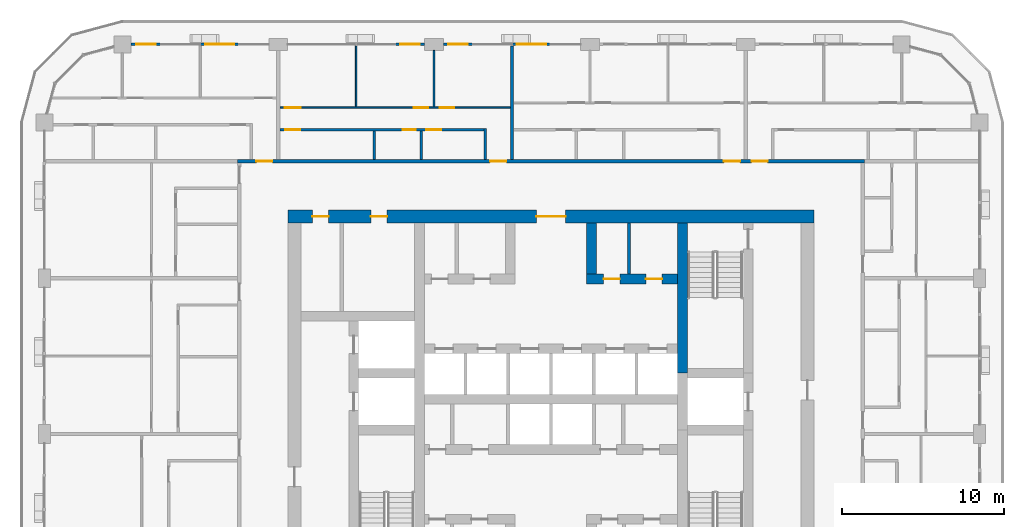
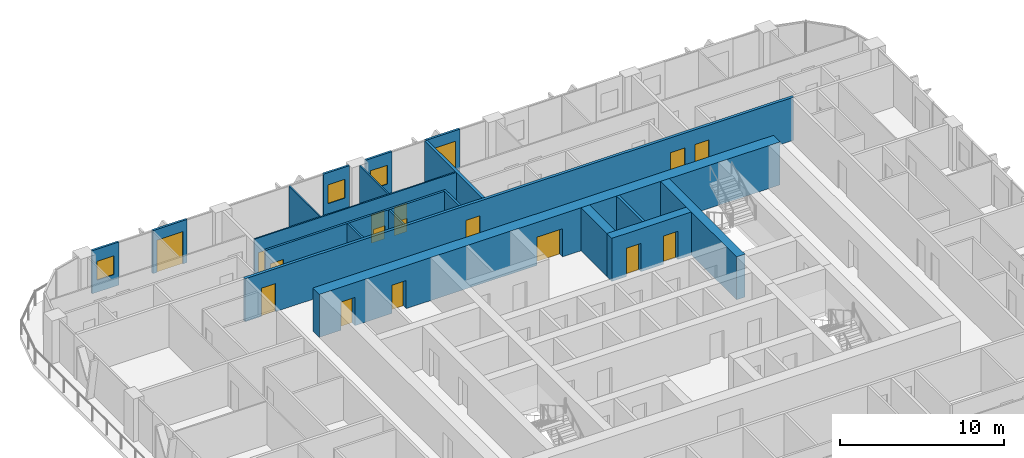
# One storey, part 14 of 22: 19 walls, 17 doors, 3 windows, 20 openings.
"""IFC4 building model written with IfcOpenShell, lengths in metres."""

from ifc_helpers import new_model, si_unit, direction, frame, frame_2d, origin, place, context, subcontext, project, spatial, rectangle, extrude, material, layer, layer_set, type_object, element, fill, save


model = new_model("IFC4")

# Units and contexts
model_context = context("Model", 3, precision=1e-05, world=origin(), true_north=direction((0.0, 1.0)))
body_context = subcontext(model_context, "Body", "Model", "MODEL_VIEW")
ifc_project = project(units=[si_unit("LENGTHUNIT", "METRE"), si_unit("AREAUNIT", "SQUARE_METRE"), si_unit("VOLUMEUNIT", "CUBIC_METRE"), si_unit("PLANEANGLEUNIT", "RADIAN"), si_unit("MASSUNIT", "GRAM", prefix="KILO")], contexts=[model_context])

# Site, building, storey
site_placement = place(None, origin())
site = spatial("IfcSite", under=ifc_project, at=site_placement, CompositionType="ELEMENT")
building_placement = place(site_placement, origin())
building = spatial("IfcBuilding", under=site, at=building_placement, Name="Madar Terraces", CompositionType="ELEMENT")
storey_placement = place(building_placement, frame((0.0, 0.0, 156.0)))
storey = spatial("IfcBuildingStorey", under=building, at=storey_placement, Name="L40", CompositionType="ELEMENT", Elevation=156.0)

# Wall
ifc_material_1 = material(Name="Concrete C70/85", Category="concrete")
ifc_layer_1 = layer(ifc_material_1, 0.60009765625)
ifc_layer_set_1 = layer_set([ifc_layer_1], Name="Concrete C70/85 (CIW3 RC wall 600)")
wall_type_1 = type_object("IfcWallType", Name="CIW3 RC wall 600", PredefinedType="SHEAR", material=ifc_layer_set_1)
wall_1_placement = place(storey_placement, frame((39.300048828125, 27.75, 0.0), z_axis=(0.0, 0.0, 1.0), x_axis=(0.0, 1.0, 0.0)))
element("IfcWall", 1, at=wall_1_placement, inside=storey, type_object=wall_type_1, Name="CORE SHAFT WALL", PredefinedType="SHEAR", context=body_context, shape_type="SweptSolid", body=[
    extrude(rectangle(XDim=9.25, YDim=0.60009765625, at=frame_2d((4.625, 0.0))), origin(), (0.0, 0.0, 1.0), 3.199951171875),
])

# Wall, openings, doors
wall_2_placement = place(storey_placement, frame((33.39990234375, 33.550048828125, 0.0), z_axis=(0.0, 0.0, 1.0), x_axis=(1.0, 0.0, 0.0)))
wall_2 = element("IfcWall", 2, at=wall_2_placement, inside=storey, type_object=wall_type_1, Name="CORE SHAFT WALL", PredefinedType="SHEAR", context=body_context, shape_type="SweptSolid", body=[
    extrude(rectangle(XDim=5.60009765625, YDim=0.60009765625, at=frame_2d((2.800048828125, 0.0))), origin(), (0.0, 0.0, 1.0), 3.199951171875),
])
opening_1_placement = place(wall_2_placement, frame((1.050048828125, 0.0, 0.0)))
opening_1 = element("IfcOpeningElement", 3, at=opening_1_placement, cuts=wall_2, Name="Opening KD2", PredefinedType="OPENING", context=body_context, shape_type="SweptSolid", body=[
    extrude(rectangle(XDim=1.0, YDim=2.10009765625, at=frame_2d((0.5, 1.050048828125))), frame((0.0, 0.31005859375, 0.0), z_axis=(0.0, -1.0, 0.0), x_axis=(1.0, 0.0, 0.0)), (0.0, 0.0, 1.0), 0.6201171875),
])
opening_2_placement = place(wall_2_placement, frame((3.64990234375, 0.0, 0.0)))
opening_2 = element("IfcOpeningElement", 4, at=opening_2_placement, cuts=wall_2, Name="Opening KD2", PredefinedType="OPENING", context=body_context, shape_type="SweptSolid", body=[
    extrude(rectangle(XDim=1.0, YDim=2.10009765625, at=frame_2d((0.5, 1.050048828125))), frame((0.0, 0.31005859375, 0.0), z_axis=(0.0, -1.0, 0.0), x_axis=(1.0, 0.0, 0.0)), (0.0, 0.0, 1.0), 0.6201171875),
])
ifc_material_2 = material(Name="Steel door leaf", Category="steel")
door_type_1 = type_object("IfcDoorType", Name="Service room door 1000 x 2100", OperationType="NOTDEFINED", PredefinedType="DOOR", material=ifc_material_2)
door_1_placement = place(opening_1_placement, frame((1.0, 0.0, 0.0), z_axis=(0.0, 0.0, 1.0), x_axis=(-1.0, 0.0, 0.0)))
door_1 = element("IfcDoor", 5, at=door_1_placement, inside=storey, type_object=door_type_1, Name="SERVICE ROOM DOOR", OperationType="SINGLE_SWING_LEFT", OverallHeight=2.10009765625, OverallWidth=1.0, PredefinedType="DOOR", context=body_context, shape_type="SweptSolid", body=[
    extrude(rectangle(XDim=1.0, YDim=2.10009765625, at=frame_2d((0.5, 1.050048828125))), frame((0.0, 0.02490234375, 0.0), z_axis=(0.0, -1.0, 0.0), x_axis=(1.0, 0.0, 0.0)), (0.0, 0.0, 1.0), 0.050048828125),
])
fill(opening_1, door_1)
door_2_placement = place(opening_2_placement, frame((1.0, 0.0, 0.0), z_axis=(0.0, 0.0, 1.0), x_axis=(-1.0, 0.0, 0.0)))
door_2 = element("IfcDoor", 6, at=door_2_placement, inside=storey, type_object=door_type_1, Name="SERVICE ROOM DOOR", OperationType="SINGLE_SWING_RIGHT", OverallHeight=2.10009765625, OverallWidth=1.0, PredefinedType="DOOR", context=body_context, shape_type="SweptSolid", body=[
    extrude(rectangle(XDim=1.0, YDim=2.10009765625, at=frame_2d((0.5, 1.050048828125))), frame((0.0, 0.02490234375, 0.0), z_axis=(0.0, -1.0, 0.0), x_axis=(1.0, 0.0, 0.0)), (0.0, 0.0, 1.0), 0.050048828125),
])
fill(opening_2, door_2)

# Wall
wall_3_placement = place(storey_placement, frame((33.699951171875, 33.85009765625, 0.0), z_axis=(0.0, 0.0, 1.0), x_axis=(0.0, 1.0, 0.0)))
element("IfcWall", 7, at=wall_3_placement, inside=storey, type_object=wall_type_1, Name="CORE SHAFT WALL", PredefinedType="SHEAR", context=body_context, shape_type="SweptSolid", body=[
    extrude(rectangle(XDim=3.14990234375, YDim=0.60009765625, at=frame_2d((1.574951171875, 0.0))), origin(), (0.0, 0.0, 1.0), 3.199951171875),
])

# Wall, openings, doors
ifc_material_3 = material(Name="Concrete C70/85", Category="concrete")
ifc_layer_2 = layer(ifc_material_3, 0.800048828125)
ifc_layer_set_2 = layer_set([ifc_layer_2], Name="Concrete C70/85 (CRW3 RC wall 800)")
wall_type_2 = type_object("IfcWallType", Name="CRW3 RC wall 800", PredefinedType="SHEAR", material=ifc_layer_set_2)
wall_4_placement = place(storey_placement, frame((15.0, 37.39990234375, 0.0), z_axis=(0.0, 0.0, 1.0), x_axis=(1.0, 0.0, 0.0)))
wall_4 = element("IfcWall", 8, at=wall_4_placement, inside=storey, type_object=wall_type_2, Name="CORE OUTER WALL", PredefinedType="SHEAR", context=body_context, shape_type="SweptSolid", body=[
    extrude(rectangle(XDim=32.39990234375, YDim=0.800048828125, at=frame_2d((16.199951171875, 0.0))), origin(), (0.0, 0.0, 1.0), 3.199951171875),
])
opening_3_placement = place(wall_4_placement, frame((15.300048828125, 0.0, 0.0)))
opening_3 = element("IfcOpeningElement", 9, at=opening_3_placement, cuts=wall_4, Name="Opening KD1", PredefinedType="OPENING", context=body_context, shape_type="SweptSolid", body=[
    extrude(rectangle(XDim=1.800048828125, YDim=2.10009765625, at=frame_2d((0.89990234375, 1.050048828125))), frame((0.0, 0.409912109375, 0.0), z_axis=(0.0, -1.0, 0.0), x_axis=(1.0, 0.0, 0.0)), (0.0, 0.0, 1.0), 0.820068359375),
])
opening_4_placement = place(wall_4_placement, frame((1.510009765625, 0.0, 0.0)))
opening_4 = element("IfcOpeningElement", 10, at=opening_4_placement, cuts=wall_4, Name="Opening KD2", PredefinedType="OPENING", context=body_context, shape_type="SweptSolid", body=[
    extrude(rectangle(XDim=1.0, YDim=2.10009765625, at=frame_2d((0.5, 1.050048828125))), frame((0.0, 0.409912109375, 0.0), z_axis=(0.0, -1.0, 0.0), x_axis=(1.0, 0.0, 0.0)), (0.0, 0.0, 1.0), 0.820068359375),
])
opening_5_placement = place(wall_4_placement, frame((5.110107421875, 0.0, 0.0)))
opening_5 = element("IfcOpeningElement", 11, at=opening_5_placement, cuts=wall_4, Name="Opening KD2", PredefinedType="OPENING", context=body_context, shape_type="SweptSolid", body=[
    extrude(rectangle(XDim=1.0, YDim=2.10009765625, at=frame_2d((0.5, 1.050048828125))), frame((0.0, 0.409912109375, 0.0), z_axis=(0.0, -1.0, 0.0), x_axis=(1.0, 0.0, 0.0)), (0.0, 0.0, 1.0), 0.820068359375),
])
ifc_material_4 = material(Name="Steel door leaf", Category="steel")
door_type_2 = type_object("IfcDoorType", Name="Lobby door pair 1800 x 2100", OperationType="DOUBLE_DOOR_SINGLE_SWING", PredefinedType="DOOR", material=ifc_material_4)
door_3_placement = place(opening_3_placement, origin())
door_3 = element("IfcDoor", 12, at=door_3_placement, inside=storey, type_object=door_type_2, Name="LIFT LOBBY DOOR", OperationType="DOUBLE_DOOR_SINGLE_SWING", OverallHeight=2.10009765625, OverallWidth=1.800048828125, PredefinedType="DOOR", context=body_context, shape_type="SweptSolid", body=[
    extrude(rectangle(XDim=1.800048828125, YDim=2.10009765625, at=frame_2d((0.89990234375, 1.050048828125))), frame((0.0, 0.02490234375, 0.0), z_axis=(0.0, -1.0, 0.0), x_axis=(1.0, 0.0, 0.0)), (0.0, 0.0, 1.0), 0.050048828125),
])
fill(opening_3, door_3)
door_4_placement = place(opening_4_placement, origin())
door_4 = element("IfcDoor", 13, at=door_4_placement, inside=storey, type_object=door_type_1, Name="SERVICE ROOM DOOR", OperationType="SINGLE_SWING_LEFT", OverallHeight=2.10009765625, OverallWidth=1.0, PredefinedType="DOOR", context=body_context, shape_type="SweptSolid", body=[
    extrude(rectangle(XDim=1.0, YDim=2.10009765625, at=frame_2d((0.5, 1.050048828125))), frame((0.0, 0.02490234375, 0.0), z_axis=(0.0, -1.0, 0.0), x_axis=(1.0, 0.0, 0.0)), (0.0, 0.0, 1.0), 0.050048828125),
])
fill(opening_4, door_4)
door_5_placement = place(opening_5_placement, origin())
door_5 = element("IfcDoor", 14, at=door_5_placement, inside=storey, type_object=door_type_1, Name="SERVICE ROOM DOOR", OperationType="SINGLE_SWING_RIGHT", OverallHeight=2.10009765625, OverallWidth=1.0, PredefinedType="DOOR", context=body_context, shape_type="SweptSolid", body=[
    extrude(rectangle(XDim=1.0, YDim=2.10009765625, at=frame_2d((0.5, 1.050048828125))), frame((0.0, 0.02490234375, 0.0), z_axis=(0.0, -1.0, 0.0), x_axis=(1.0, 0.0, 0.0)), (0.0, 0.0, 1.0), 0.050048828125),
])
fill(opening_5, door_5)

# Wall
ifc_material_5 = material(Name="Masonry blockwork", Category="masonry")
ifc_layer_3 = layer(ifc_material_5, 0.199951171875)
ifc_layer_set_3 = layer_set([ifc_layer_3], Name="Core partition 200 blockwork")
wall_type_3 = type_object("IfcWallType", Name="Core partition 200 blockwork", PredefinedType="PARTITIONING", material=ifc_layer_set_3)
wall_5_placement = place(storey_placement, frame((36.0, 33.85009765625, 0.0), z_axis=(0.0, 0.0, 1.0), x_axis=(0.0, 1.0, 0.0)))
element("IfcWall", 15, at=wall_5_placement, inside=storey, type_object=wall_type_3, Name="SERVICE ROOM PARTITION", PredefinedType="PARTITIONING", context=body_context, shape_type="SweptSolid", body=[
    extrude(rectangle(XDim=3.14990234375, YDim=0.199951171875, at=frame_2d((1.574951171875, 0.0))), origin(), (0.0, 0.0, 1.0), 3.199951171875),
])

# Wall, opening, door
ifc_material_6 = material(Name="Aluminium composite panel, black, over insulated backing", Category="aluminium")
ifc_layer_4 = layer(ifc_material_6, 0.14990234375)
ifc_layer_set_4 = layer_set([ifc_layer_4], Name="Facade bay panel 150")
wall_type_4 = type_object("IfcWallType", Name="Facade bay panel 150", PredefinedType="SOLIDWALL", material=ifc_layer_set_4)
wall_6_placement = place(storey_placement, frame((31.199951171875, 48.0, 0.0), z_axis=(0.0, 0.0, 1.0), x_axis=(-1.0, 0.0, 0.0)))
wall_6 = element("IfcWall", 16, at=wall_6_placement, inside=storey, type_object=wall_type_4, Name="Facade bay panel", PredefinedType="SOLIDWALL", context=body_context, shape_type="SweptSolid", body=[
    extrude(rectangle(XDim=2.39990234375, YDim=0.14990234375, at=frame_2d((1.199951171875, 0.0))), origin(), (0.0, 0.0, 1.0), 3.199951171875),
])
opening_6_placement = place(wall_6_placement, frame((0.300048828125, 0.0, 0.0)))
opening_6 = element("IfcOpeningElement", 17, at=opening_6_placement, cuts=wall_6, Name="Opening ED1", PredefinedType="OPENING", context=body_context, shape_type="SweptSolid", body=[
    extrude(rectangle(XDim=1.800048828125, YDim=2.39990234375, at=frame_2d((0.89990234375, 1.199951171875))), frame((0.0, 0.0849609375, 0.0), z_axis=(0.0, -1.0, 0.0), x_axis=(1.0, 0.0, 0.0)), (0.0, 0.0, 1.0), 0.169921875),
])
ifc_material_7 = material(Name="Glass, clear, with black aluminium frame", Category="aluminium")
door_type_3 = type_object("IfcDoorType", Name="Balcony and terrace sliding door 1800 x 2400", OperationType="SLIDING_TO_LEFT", PredefinedType="DOOR", material=ifc_material_7)
door_6_placement = place(opening_6_placement, origin())
door_6 = element("IfcDoor", 18, at=door_6_placement, inside=storey, type_object=door_type_3, Name="Balcony door", OperationType="SLIDING_TO_LEFT", OverallHeight=2.39990234375, OverallWidth=1.800048828125, PredefinedType="DOOR", context=body_context, shape_type="SweptSolid", body=[
    extrude(rectangle(XDim=1.800048828125, YDim=2.39990234375, at=frame_2d((0.89990234375, 1.199951171875))), frame((0.0, 0.02490234375, 0.0), z_axis=(0.0, -1.0, 0.0), x_axis=(1.0, 0.0, 0.0)), (0.0, 0.0, 1.0), 0.050048828125),
])
fill(opening_6, door_6)

# Wall, opening, window
wall_7_placement = place(storey_placement, frame((26.39990234375, 48.0, 0.0), z_axis=(0.0, 0.0, 1.0), x_axis=(-1.0, 0.0, 0.0)))
wall_7 = element("IfcWall", 19, at=wall_7_placement, inside=storey, type_object=wall_type_4, Name="Facade bay panel", PredefinedType="SOLIDWALL", context=body_context, shape_type="SweptSolid", body=[
    extrude(rectangle(XDim=1.824951171875, YDim=0.14990234375, at=frame_2d((0.91259765625, 0.0))), origin(), (0.0, 0.0, 1.0), 3.199951171875),
])
opening_7_placement = place(wall_7_placement, frame((0.3125, 0.0, 0.89990234375)))
opening_7 = element("IfcOpeningElement", 20, at=opening_7_placement, cuts=wall_7, Name="Opening W1", PredefinedType="OPENING", context=body_context, shape_type="SweptSolid", body=[
    extrude(rectangle(XDim=1.199951171875, YDim=1.39990234375, at=frame_2d((0.60009765625, 0.699951171875))), frame((0.0, 0.0849609375, 0.0), z_axis=(0.0, -1.0, 0.0), x_axis=(1.0, 0.0, 0.0)), (0.0, 0.0, 1.0), 0.169921875),
])
ifc_material_8 = material(Name="Glass, clear, with black aluminium frame", Category="aluminium")
window_type = type_object("IfcWindowType", Name="Vent window 1200 x 1400", PartitioningType="SINGLE_PANEL", PredefinedType="WINDOW", material=ifc_material_8)
window_1_placement = place(opening_7_placement, origin())
window_1 = element("IfcWindow", 21, at=window_1_placement, inside=storey, type_object=window_type, Name="Operable vent window", OverallHeight=1.39990234375, OverallWidth=1.199951171875, PartitioningType="SINGLE_PANEL", PredefinedType="WINDOW", context=body_context, shape_type="SweptSolid", body=[
    extrude(rectangle(XDim=1.199951171875, YDim=1.39990234375, at=frame_2d((0.60009765625, 0.699951171875))), frame((0.0, 0.030029296875, 0.0), z_axis=(0.0, -1.0, 0.0), x_axis=(1.0, 0.0, 0.0)), (0.0, 0.0, 1.0), 0.06005859375),
])
fill(opening_7, window_1)

wall_8_placement = place(storey_placement, frame((23.425048828125, 48.0, 0.0), z_axis=(0.0, 0.0, 1.0), x_axis=(-1.0, 0.0, 0.0)))
wall_8 = element("IfcWall", 22, at=wall_8_placement, inside=storey, type_object=wall_type_4, Name="Facade bay panel", PredefinedType="SOLIDWALL", context=body_context, shape_type="SweptSolid", body=[
    extrude(rectangle(XDim=1.824951171875, YDim=0.14990234375, at=frame_2d((0.91259765625, 0.0))), origin(), (0.0, 0.0, 1.0), 3.199951171875),
])
opening_8_placement = place(wall_8_placement, frame((0.3125, 0.0, 0.89990234375)))
opening_8 = element("IfcOpeningElement", 23, at=opening_8_placement, cuts=wall_8, Name="Opening W1", PredefinedType="OPENING", context=body_context, shape_type="SweptSolid", body=[
    extrude(rectangle(XDim=1.199951171875, YDim=1.39990234375, at=frame_2d((0.60009765625, 0.699951171875))), frame((0.0, 0.0849609375, 0.0), z_axis=(0.0, -1.0, 0.0), x_axis=(1.0, 0.0, 0.0)), (0.0, 0.0, 1.0), 0.169921875),
])
window_2_placement = place(opening_8_placement, origin())
window_2 = element("IfcWindow", 24, at=window_2_placement, inside=storey, type_object=window_type, Name="Operable vent window", OverallHeight=1.39990234375, OverallWidth=1.199951171875, PartitioningType="SINGLE_PANEL", PredefinedType="WINDOW", context=body_context, shape_type="SweptSolid", body=[
    extrude(rectangle(XDim=1.199951171875, YDim=1.39990234375, at=frame_2d((0.60009765625, 0.699951171875))), frame((0.0, 0.030029296875, 0.0), z_axis=(0.0, -1.0, 0.0), x_axis=(1.0, 0.0, 0.0)), (0.0, 0.0, 1.0), 0.06005859375),
])
fill(opening_8, window_2)

# Wall, opening, door
wall_9_placement = place(storey_placement, frame((12.0, 48.0, 0.0), z_axis=(0.0, 0.0, 1.0), x_axis=(-1.0, 0.0, 0.0)))
wall_9 = element("IfcWall", 25, at=wall_9_placement, inside=storey, type_object=wall_type_4, Name="Facade bay panel", PredefinedType="SOLIDWALL", context=body_context, shape_type="SweptSolid", body=[
    extrude(rectangle(XDim=2.39990234375, YDim=0.14990234375, at=frame_2d((1.199951171875, 0.0))), origin(), (0.0, 0.0, 1.0), 3.199951171875),
])
opening_9_placement = place(wall_9_placement, frame((0.300048828125, 0.0, 0.0)))
opening_9 = element("IfcOpeningElement", 26, at=opening_9_placement, cuts=wall_9, Name="Opening ED1", PredefinedType="OPENING", context=body_context, shape_type="SweptSolid", body=[
    extrude(rectangle(XDim=1.800048828125, YDim=2.39990234375, at=frame_2d((0.89990234375, 1.199951171875))), frame((0.0, 0.0849609375, 0.0), z_axis=(0.0, -1.0, 0.0), x_axis=(1.0, 0.0, 0.0)), (0.0, 0.0, 1.0), 0.169921875),
])
door_7_placement = place(opening_9_placement, origin())
door_7 = element("IfcDoor", 27, at=door_7_placement, inside=storey, type_object=door_type_3, Name="Balcony door", OperationType="SLIDING_TO_RIGHT", OverallHeight=2.39990234375, OverallWidth=1.800048828125, PredefinedType="DOOR", context=body_context, shape_type="SweptSolid", body=[
    extrude(rectangle(XDim=1.800048828125, YDim=2.39990234375, at=frame_2d((0.89990234375, 1.199951171875))), frame((0.0, 0.02490234375, 0.0), z_axis=(0.0, -1.0, 0.0), x_axis=(1.0, 0.0, 0.0)), (0.0, 0.0, 1.0), 0.050048828125),
])
fill(opening_9, door_7)

# Wall, opening, window
wall_10_placement = place(storey_placement, frame((7.199951171875, 48.0, 0.0), z_axis=(0.0, 0.0, 1.0), x_axis=(-1.0, 0.0, 0.0)))
wall_10 = element("IfcWall", 28, at=wall_10_placement, inside=storey, type_object=wall_type_4, Name="Facade bay panel", PredefinedType="SOLIDWALL", context=body_context, shape_type="SweptSolid", body=[
    extrude(rectangle(XDim=1.875, YDim=0.14990234375, at=frame_2d((0.9375, 0.0))), origin(), (0.0, 0.0, 1.0), 3.199951171875),
])
opening_10_placement = place(wall_10_placement, frame((0.33740234375, 0.0, 0.89990234375)))
opening_10 = element("IfcOpeningElement", 29, at=opening_10_placement, cuts=wall_10, Name="Opening W1", PredefinedType="OPENING", context=body_context, shape_type="SweptSolid", body=[
    extrude(rectangle(XDim=1.199951171875, YDim=1.39990234375, at=frame_2d((0.60009765625, 0.699951171875))), frame((0.0, 0.0849609375, 0.0), z_axis=(0.0, -1.0, 0.0), x_axis=(1.0, 0.0, 0.0)), (0.0, 0.0, 1.0), 0.169921875),
])
window_3_placement = place(opening_10_placement, origin())
window_3 = element("IfcWindow", 30, at=window_3_placement, inside=storey, type_object=window_type, Name="Operable vent window", OverallHeight=1.39990234375, OverallWidth=1.199951171875, PartitioningType="SINGLE_PANEL", PredefinedType="WINDOW", context=body_context, shape_type="SweptSolid", body=[
    extrude(rectangle(XDim=1.199951171875, YDim=1.39990234375, at=frame_2d((0.60009765625, 0.699951171875))), frame((0.0, 0.030029296875, 0.0), z_axis=(0.0, -1.0, 0.0), x_axis=(1.0, 0.0, 0.0)), (0.0, 0.0, 1.0), 0.06005859375),
])
fill(opening_10, window_3)

# Walls
ifc_material_9 = material(Name="Gypsum board on steel studs", Category="steel")
ifc_layer_5 = layer(ifc_material_9, 0.10009765625)
ifc_layer_set_5 = layer_set([ifc_layer_5], Name="Flat partition 100")
wall_type_5 = type_object("IfcWallType", Name="Flat partition 100", PredefinedType="PARTITIONING", material=ifc_layer_set_5)
wall_11_placement = place(storey_placement, frame((24.0, 44.14990234375, 0.0), z_axis=(0.0, 0.0, 1.0), x_axis=(0.0, 1.0, 0.0)))
element("IfcWall", 31, at=wall_11_placement, inside=storey, type_object=wall_type_5, Name="Flat partition 100", PredefinedType="PARTITIONING", context=body_context, shape_type="SweptSolid", body=[
    extrude(rectangle(XDim=3.47509765625, YDim=0.10009765625, at=frame_2d((1.737548828125, 0.0))), origin(), (0.0, 0.0, 1.0), 3.199951171875),
])
wall_12_placement = place(storey_placement, frame((19.199951171875, 44.14990234375, 0.0), z_axis=(0.0, 0.0, 1.0), x_axis=(0.0, 1.0, 0.0)))
element("IfcWall", 32, at=wall_12_placement, inside=storey, type_object=wall_type_5, Name="Flat partition 100", PredefinedType="PARTITIONING", context=body_context, shape_type="SweptSolid", body=[
    extrude(rectangle(XDim=3.75, YDim=0.10009765625, at=frame_2d((1.875, 0.0))), origin(), (0.0, 0.0, 1.0), 3.199951171875),
])

# Wall, openings, doors
wall_13_placement = place(storey_placement, frame((14.5, 44.10009765625, 0.0), z_axis=(0.0, 0.0, 1.0), x_axis=(1.0, 0.0, 0.0)))
wall_13 = element("IfcWall", 33, at=wall_13_placement, inside=storey, type_object=wall_type_5, Name="Flat partition 100", PredefinedType="PARTITIONING", context=body_context, shape_type="SweptSolid", body=[
    extrude(rectangle(XDim=14.199951171875, YDim=0.10009765625, at=frame_2d((7.10009765625, 0.0))), origin(), (0.0, 0.0, 1.0), 3.199951171875),
])
opening_11_placement = place(wall_13_placement, frame((9.85009765625, 0.0, 0.0)))
opening_11 = element("IfcOpeningElement", 34, at=opening_11_placement, cuts=wall_13, Name="Opening D2", PredefinedType="OPENING", context=body_context, shape_type="SweptSolid", body=[
    extrude(rectangle(XDim=0.89990234375, YDim=2.10009765625, at=frame_2d((0.449951171875, 1.050048828125))), frame((0.0, 0.06005859375, 0.0), z_axis=(0.0, -1.0, 0.0), x_axis=(1.0, 0.0, 0.0)), (0.0, 0.0, 1.0), 0.1201171875),
])
opening_12_placement = place(wall_13_placement, frame((8.25, 0.0, 0.0)))
opening_12 = element("IfcOpeningElement", 35, at=opening_12_placement, cuts=wall_13, Name="Opening D2", PredefinedType="OPENING", context=body_context, shape_type="SweptSolid", body=[
    extrude(rectangle(XDim=0.89990234375, YDim=2.10009765625, at=frame_2d((0.449951171875, 1.050048828125))), frame((0.0, 0.06005859375, 0.0), z_axis=(0.0, -1.0, 0.0), x_axis=(1.0, 0.0, 0.0)), (0.0, 0.0, 1.0), 0.1201171875),
])
opening_13_placement = place(wall_13_placement, frame((0.300048828125, 0.0, 0.0)))
opening_13 = element("IfcOpeningElement", 36, at=opening_13_placement, cuts=wall_13, Name="Opening D3", PredefinedType="OPENING", context=body_context, shape_type="SweptSolid", body=[
    extrude(rectangle(XDim=1.0, YDim=2.10009765625, at=frame_2d((0.5, 1.050048828125))), frame((0.0, 0.06005859375, 0.0), z_axis=(0.0, -1.0, 0.0), x_axis=(1.0, 0.0, 0.0)), (0.0, 0.0, 1.0), 0.1201171875),
])
ifc_material_10 = material(Name="Timber door leaf", Category="wood")
door_type_4 = type_object("IfcDoorType", Name="Flat living room door 1000", OperationType="NOTDEFINED", PredefinedType="DOOR", material=ifc_material_10)
door_8_placement = place(opening_13_placement, origin())
door_8 = element("IfcDoor", 37, at=door_8_placement, inside=storey, type_object=door_type_4, Name="Flat living room door 1000", OperationType="SINGLE_SWING_LEFT", OverallHeight=2.10009765625, OverallWidth=1.0, PredefinedType="DOOR", context=body_context, shape_type="SweptSolid", body=[
    extrude(rectangle(XDim=1.0, YDim=2.10009765625, at=frame_2d((0.5, 1.050048828125))), frame((0.0, 0.02490234375, 0.0), z_axis=(0.0, -1.0, 0.0), x_axis=(1.0, 0.0, 0.0)), (0.0, 0.0, 1.0), 0.050048828125),
])
fill(opening_13, door_8)
ifc_material_11 = material(Name="Timber door leaf", Category="wood")
door_type_5 = type_object("IfcDoorType", Name="Flat room door 900", OperationType="NOTDEFINED", PredefinedType="DOOR", material=ifc_material_11)
door_9_placement = place(opening_11_placement, origin())
door_9 = element("IfcDoor", 38, at=door_9_placement, inside=storey, type_object=door_type_5, Name="Flat room door 900", OperationType="SINGLE_SWING_LEFT", OverallHeight=2.10009765625, OverallWidth=0.89990234375, PredefinedType="DOOR", context=body_context, shape_type="SweptSolid", body=[
    extrude(rectangle(XDim=0.89990234375, YDim=2.10009765625, at=frame_2d((0.449951171875, 1.050048828125))), frame((0.0, 0.02490234375, 0.0), z_axis=(0.0, -1.0, 0.0), x_axis=(1.0, 0.0, 0.0)), (0.0, 0.0, 1.0), 0.050048828125),
])
fill(opening_11, door_9)
door_10_placement = place(opening_12_placement, origin())
door_10 = element("IfcDoor", 39, at=door_10_placement, inside=storey, type_object=door_type_5, Name="Flat room door 900", OperationType="SINGLE_SWING_RIGHT", OverallHeight=2.10009765625, OverallWidth=0.89990234375, PredefinedType="DOOR", context=body_context, shape_type="SweptSolid", body=[
    extrude(rectangle(XDim=0.89990234375, YDim=2.10009765625, at=frame_2d((0.449951171875, 1.050048828125))), frame((0.0, 0.02490234375, 0.0), z_axis=(0.0, -1.0, 0.0), x_axis=(1.0, 0.0, 0.0)), (0.0, 0.0, 1.0), 0.050048828125),
])
fill(opening_12, door_10)

ifc_material_12 = material(Name="Lightweight blockwork", Category="masonry")
ifc_layer_6 = layer(ifc_material_12, 0.199951171875)
ifc_layer_set_6 = layer_set([ifc_layer_6], Name="Flat party and entrance wall 200")
wall_type_6 = type_object("IfcWallType", Name="Flat party and entrance wall 200", PredefinedType="PARTITIONING", material=ifc_layer_set_6)
wall_14_placement = place(storey_placement, frame((11.89990234375, 40.800048828125, 0.0), z_axis=(0.0, 0.0, 1.0), x_axis=(1.0, 0.0, 0.0)))
wall_14 = element("IfcWall", 40, at=wall_14_placement, inside=storey, type_object=wall_type_6, Name="Flat party and entrance wall 200", PredefinedType="PARTITIONING", context=body_context, shape_type="SweptSolid", body=[
    extrude(rectangle(XDim=38.60009765625, YDim=0.199951171875, at=frame_2d((19.300048828125, 0.0))), origin(), (0.0, 0.0, 1.0), 3.199951171875),
])
opening_14_placement = place(wall_14_placement, frame((31.64990234375, 0.0, 0.0)))
opening_14 = element("IfcOpeningElement", 41, at=opening_14_placement, cuts=wall_14, Name="Opening D1", PredefinedType="OPENING", context=body_context, shape_type="SweptSolid", body=[
    extrude(rectangle(XDim=1.0, YDim=2.10009765625, at=frame_2d((0.5, 1.050048828125))), frame((0.0, 0.10986328125, 0.0), z_axis=(0.0, -1.0, 0.0), x_axis=(1.0, 0.0, 0.0)), (0.0, 0.0, 1.0), 0.219970703125),
])
opening_15_placement = place(wall_14_placement, frame((29.949951171875, 0.0, 0.0)))
opening_15 = element("IfcOpeningElement", 42, at=opening_15_placement, cuts=wall_14, Name="Opening D1", PredefinedType="OPENING", context=body_context, shape_type="SweptSolid", body=[
    extrude(rectangle(XDim=1.0, YDim=2.10009765625, at=frame_2d((0.5, 1.050048828125))), frame((0.0, 0.10986328125, 0.0), z_axis=(0.0, -1.0, 0.0), x_axis=(1.0, 0.0, 0.0)), (0.0, 0.0, 1.0), 0.219970703125),
])
opening_16_placement = place(wall_14_placement, frame((15.550048828125, 0.0, 0.0)))
opening_16 = element("IfcOpeningElement", 43, at=opening_16_placement, cuts=wall_14, Name="Opening D1", PredefinedType="OPENING", context=body_context, shape_type="SweptSolid", body=[
    extrude(rectangle(XDim=1.0, YDim=2.10009765625, at=frame_2d((0.5, 1.050048828125))), frame((0.0, 0.10986328125, 0.0), z_axis=(0.0, -1.0, 0.0), x_axis=(1.0, 0.0, 0.0)), (0.0, 0.0, 1.0), 0.219970703125),
])
opening_17_placement = place(wall_14_placement, frame((1.14990234375, 0.0, 0.0)))
opening_17 = element("IfcOpeningElement", 44, at=opening_17_placement, cuts=wall_14, Name="Opening D1", PredefinedType="OPENING", context=body_context, shape_type="SweptSolid", body=[
    extrude(rectangle(XDim=1.0, YDim=2.10009765625, at=frame_2d((0.5, 1.050048828125))), frame((0.0, 0.10986328125, 0.0), z_axis=(0.0, -1.0, 0.0), x_axis=(1.0, 0.0, 0.0)), (0.0, 0.0, 1.0), 0.219970703125),
])
ifc_material_13 = material(Name="Timber fire door leaf", Category="wood")
door_type_6 = type_object("IfcDoorType", Name="Flat entrance door 1000 FD30S", OperationType="NOTDEFINED", PredefinedType="DOOR", material=ifc_material_13)
door_11_placement = place(opening_14_placement, origin())
door_11 = element("IfcDoor", 45, at=door_11_placement, inside=storey, type_object=door_type_6, Name="Flat entrance door 1000 FD30S", OperationType="SINGLE_SWING_LEFT", OverallHeight=2.10009765625, OverallWidth=1.0, PredefinedType="DOOR", context=body_context, shape_type="SweptSolid", body=[
    extrude(rectangle(XDim=1.0, YDim=2.10009765625, at=frame_2d((0.5, 1.050048828125))), frame((0.0, 0.02490234375, 0.0), z_axis=(0.0, -1.0, 0.0), x_axis=(1.0, 0.0, 0.0)), (0.0, 0.0, 1.0), 0.050048828125),
])
fill(opening_14, door_11)
door_12_placement = place(opening_15_placement, origin())
door_12 = element("IfcDoor", 46, at=door_12_placement, inside=storey, type_object=door_type_6, Name="Flat entrance door 1000 FD30S", OperationType="SINGLE_SWING_RIGHT", OverallHeight=2.10009765625, OverallWidth=1.0, PredefinedType="DOOR", context=body_context, shape_type="SweptSolid", body=[
    extrude(rectangle(XDim=1.0, YDim=2.10009765625, at=frame_2d((0.5, 1.050048828125))), frame((0.0, 0.02490234375, 0.0), z_axis=(0.0, -1.0, 0.0), x_axis=(1.0, 0.0, 0.0)), (0.0, 0.0, 1.0), 0.050048828125),
])
fill(opening_15, door_12)
door_13_placement = place(opening_16_placement, origin())
door_13 = element("IfcDoor", 47, at=door_13_placement, inside=storey, type_object=door_type_6, Name="Flat entrance door 1000 FD30S", OperationType="SINGLE_SWING_RIGHT", OverallHeight=2.10009765625, OverallWidth=1.0, PredefinedType="DOOR", context=body_context, shape_type="SweptSolid", body=[
    extrude(rectangle(XDim=1.0, YDim=2.10009765625, at=frame_2d((0.5, 1.050048828125))), frame((0.0, 0.02490234375, 0.0), z_axis=(0.0, -1.0, 0.0), x_axis=(1.0, 0.0, 0.0)), (0.0, 0.0, 1.0), 0.050048828125),
])
fill(opening_16, door_13)
door_14_placement = place(opening_17_placement, origin())
door_14 = element("IfcDoor", 48, at=door_14_placement, inside=storey, type_object=door_type_6, Name="Flat entrance door 1000 FD30S", OperationType="SINGLE_SWING_RIGHT", OverallHeight=2.10009765625, OverallWidth=1.0, PredefinedType="DOOR", context=body_context, shape_type="SweptSolid", body=[
    extrude(rectangle(XDim=1.0, YDim=2.10009765625, at=frame_2d((0.5, 1.050048828125))), frame((0.0, 0.02490234375, 0.0), z_axis=(0.0, -1.0, 0.0), x_axis=(1.0, 0.0, 0.0)), (0.0, 0.0, 1.0), 0.050048828125),
])
fill(opening_17, door_14)

# Walls
wall_15_placement = place(storey_placement, frame((28.800048828125, 47.89990234375, 0.0), z_axis=(0.0, 0.0, 1.0), x_axis=(0.0, -1.0, 0.0)))
element("IfcWall", 49, at=wall_15_placement, inside=storey, type_object=wall_type_6, Name="Flat party and entrance wall 200", PredefinedType="PARTITIONING", context=body_context, shape_type="SweptSolid", body=[
    extrude(rectangle(XDim=7.0, YDim=0.199951171875, at=frame_2d((3.5, 0.0))), origin(), (0.0, 0.0, 1.0), 3.199951171875),
])
ifc_material_14 = material(Name="Lightweight blockwork", Category="masonry")
ifc_layer_7 = layer(ifc_material_14, 0.14990234375)
ifc_layer_set_7 = layer_set([ifc_layer_7], Name="Flat wet-room partition 150")
wall_type_7 = type_object("IfcWallType", Name="Flat wet-room partition 150", PredefinedType="PARTITIONING", material=ifc_layer_set_7)
for number, where, z_axis, x_axis, name in (
    (50, (23.205810546875, 40.89990234375, 0.0), (0.0, 0.0, 1.0), (0.0, 1.0, 0.0), "Flat wet-room partition 150"),
    (51, (20.303955078125, 40.89990234375, 0.0), (0.0, 0.0, 1.0), (0.0, 1.0, 0.0), "Flat wet-room partition 150"),
):
    element("IfcWall", number, at=place(storey_placement, frame(where, z_axis=z_axis, x_axis=x_axis)), inside=storey, type_object=wall_type_7, Name=name, PredefinedType="PARTITIONING", context=body_context, shape_type="SweptSolid", body=[
        extrude(rectangle(XDim=1.775146484375, YDim=0.14990234375, at=frame_2d((0.8876953125, 0.0))), origin(), (0.0, 0.0, 1.0), 3.199951171875),
    ])
wall_16_placement = place(storey_placement, frame((27.14990234375, 40.89990234375, 0.0), z_axis=(0.0, 0.0, 1.0), x_axis=(0.0, 1.0, 0.0)))
element("IfcWall", 52, at=wall_16_placement, inside=storey, type_object=wall_type_7, Name="Flat wet-room partition 150", PredefinedType="PARTITIONING", context=body_context, shape_type="SweptSolid", body=[
    extrude(rectangle(XDim=1.925048828125, YDim=0.14990234375, at=frame_2d((0.96240234375, 0.0))), origin(), (0.0, 0.0, 1.0), 3.199951171875),
])

# Wall, openings, doors
wall_17_placement = place(storey_placement, frame((27.074951171875, 42.75, 0.0), z_axis=(0.0, 0.0, 1.0), x_axis=(-1.0, 0.0, 0.0)))
wall_17 = element("IfcWall", 53, at=wall_17_placement, inside=storey, type_object=wall_type_7, Name="Flat wet-room partition 150", PredefinedType="PARTITIONING", context=body_context, shape_type="SweptSolid", body=[
    extrude(rectangle(XDim=12.574951171875, YDim=0.14990234375, at=frame_2d((6.28759765625, 0.0))), origin(), (0.0, 0.0, 1.0), 3.199951171875),
])
opening_18_placement = place(wall_17_placement, frame((2.644287109375, 0.0, 0.0)))
opening_18 = element("IfcOpeningElement", 54, at=opening_18_placement, cuts=wall_17, Name="Opening D5", PredefinedType="OPENING", context=body_context, shape_type="SweptSolid", body=[
    extrude(rectangle(XDim=0.89990234375, YDim=2.10009765625, at=frame_2d((0.449951171875, 1.050048828125))), frame((0.0, 0.0849609375, 0.0), z_axis=(0.0, -1.0, 0.0), x_axis=(1.0, 0.0, 0.0)), (0.0, 0.0, 1.0), 0.169921875),
])
opening_19_placement = place(wall_17_placement, frame((4.194091796875, 0.0, 0.0)))
opening_19 = element("IfcOpeningElement", 55, at=opening_19_placement, cuts=wall_17, Name="Opening D4", PredefinedType="OPENING", context=body_context, shape_type="SweptSolid", body=[
    extrude(rectangle(XDim=0.800048828125, YDim=2.10009765625, at=frame_2d((0.39990234375, 1.050048828125))), frame((0.0, 0.0849609375, 0.0), z_axis=(0.0, -1.0, 0.0), x_axis=(1.0, 0.0, 0.0)), (0.0, 0.0, 1.0), 0.169921875),
])
opening_20_placement = place(wall_17_placement, frame((11.324951171875, 0.0, 0.0)))
opening_20 = element("IfcOpeningElement", 56, at=opening_20_placement, cuts=wall_17, Name="Opening D2", PredefinedType="OPENING", context=body_context, shape_type="SweptSolid", body=[
    extrude(rectangle(XDim=0.89990234375, YDim=2.10009765625, at=frame_2d((0.449951171875, 1.050048828125))), frame((0.0, 0.0849609375, 0.0), z_axis=(0.0, -1.0, 0.0), x_axis=(1.0, 0.0, 0.0)), (0.0, 0.0, 1.0), 0.169921875),
])
ifc_material_15 = material(Name="Timber door leaf", Category="wood")
door_type_7 = type_object("IfcDoorType", Name="Flat accessible bathroom door 900", OperationType="NOTDEFINED", PredefinedType="DOOR", material=ifc_material_15)
door_15_placement = place(opening_18_placement, origin())
door_15 = element("IfcDoor", 57, at=door_15_placement, inside=storey, type_object=door_type_7, Name="Flat accessible bathroom door 900", OperationType="SINGLE_SWING_RIGHT", OverallHeight=2.10009765625, OverallWidth=0.89990234375, PredefinedType="DOOR", context=body_context, shape_type="SweptSolid", body=[
    extrude(rectangle(XDim=0.89990234375, YDim=2.10009765625, at=frame_2d((0.449951171875, 1.050048828125))), frame((0.0, 0.02490234375, 0.0), z_axis=(0.0, -1.0, 0.0), x_axis=(1.0, 0.0, 0.0)), (0.0, 0.0, 1.0), 0.050048828125),
])
fill(opening_18, door_15)
ifc_material_16 = material(Name="Timber door leaf", Category="wood")
door_type_8 = type_object("IfcDoorType", Name="Flat bathroom door 800", OperationType="NOTDEFINED", PredefinedType="DOOR", material=ifc_material_16)
door_16_placement = place(opening_19_placement, origin())
door_16 = element("IfcDoor", 58, at=door_16_placement, inside=storey, type_object=door_type_8, Name="Flat bathroom door 800", OperationType="SINGLE_SWING_LEFT", OverallHeight=2.10009765625, OverallWidth=0.800048828125, PredefinedType="DOOR", context=body_context, shape_type="SweptSolid", body=[
    extrude(rectangle(XDim=0.800048828125, YDim=2.10009765625, at=frame_2d((0.39990234375, 1.050048828125))), frame((0.0, 0.02490234375, 0.0), z_axis=(0.0, -1.0, 0.0), x_axis=(1.0, 0.0, 0.0)), (0.0, 0.0, 1.0), 0.050048828125),
])
fill(opening_19, door_16)
door_17_placement = place(opening_20_placement, origin())
door_17 = element("IfcDoor", 59, at=door_17_placement, inside=storey, type_object=door_type_5, Name="Flat room door 900", OperationType="SINGLE_SWING_RIGHT", OverallHeight=2.10009765625, OverallWidth=0.89990234375, PredefinedType="DOOR", context=body_context, shape_type="SweptSolid", body=[
    extrude(rectangle(XDim=0.89990234375, YDim=2.10009765625, at=frame_2d((0.449951171875, 1.050048828125))), frame((0.0, 0.02490234375, 0.0), z_axis=(0.0, -1.0, 0.0), x_axis=(1.0, 0.0, 0.0)), (0.0, 0.0, 1.0), 0.050048828125),
])
fill(opening_20, door_17)

save(model, "model.ifc")
